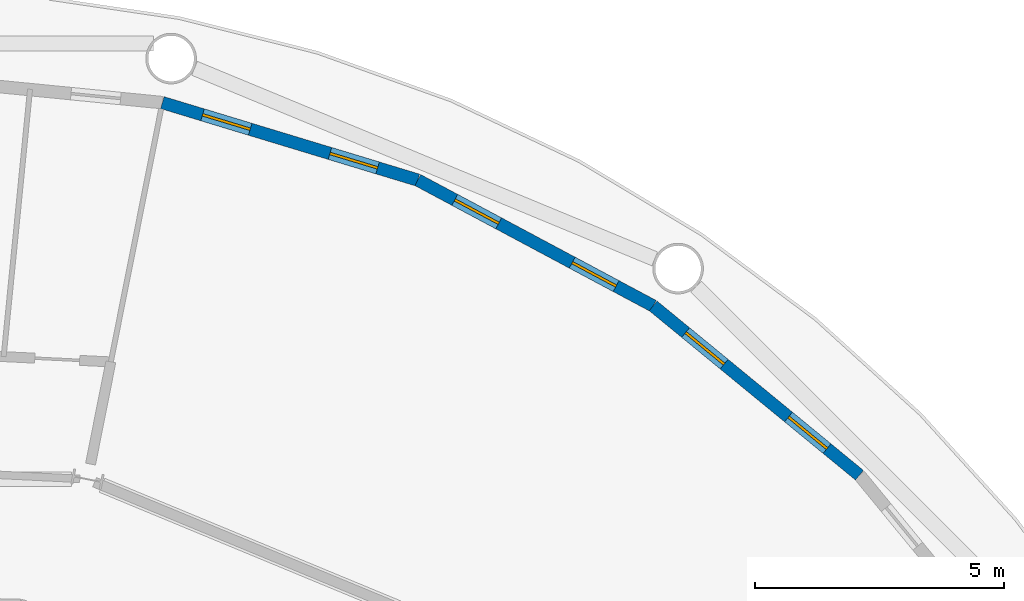
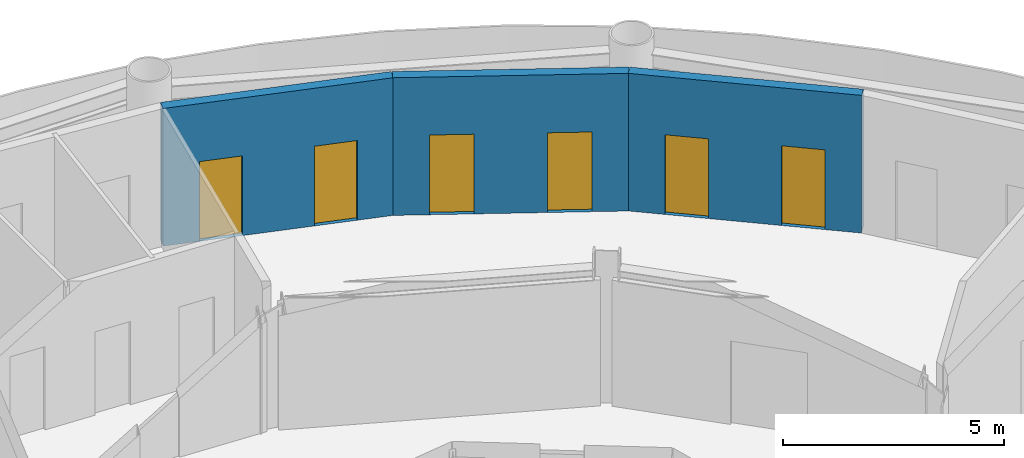
# One storey, part 16 of 19: 6 doors, 3 walls, 6 openings.
"""IFC4 building model written with IfcOpenShell, lengths in metres."""

from ifc_helpers import new_model, si_unit, direction, frame, frame_2d, origin, place, context, subcontext, project, spatial, rectangle, extrude, material, layer, layer_set, type_object, element, fill, save


model = new_model("IFC4")

# Units and contexts
model_context = context("Model", 3, precision=1e-05, world=origin(), true_north=direction((0.0, 1.0)))
body_context = subcontext(model_context, "Body", "Model", "MODEL_VIEW")
ifc_project = project(units=[si_unit("LENGTHUNIT", "METRE"), si_unit("AREAUNIT", "SQUARE_METRE"), si_unit("VOLUMEUNIT", "CUBIC_METRE"), si_unit("PLANEANGLEUNIT", "RADIAN"), si_unit("MASSUNIT", "GRAM", prefix="KILO")], contexts=[model_context])

# Site, building, storey
site_placement = place(None, origin())
site = spatial("IfcSite", under=ifc_project, at=site_placement, CompositionType="ELEMENT")
building_placement = place(site_placement, origin())
building = spatial("IfcBuilding", under=site, at=building_placement, Name="Maasbend Ring Residences", CompositionType="ELEMENT")
storey_placement = place(building_placement, frame((0.0, 0.0, 53.300048828125)))
storey = spatial("IfcBuildingStorey", under=building, at=storey_placement, Name="L15", CompositionType="ELEMENT", Elevation=53.300048828125)

# Wall, openings, doors
ifc_material_1 = material(Name="Aluminium clad insulated panel", Category="aluminium")
ifc_layer = layer(ifc_material_1, 0.25)
ifc_layer_set = layer_set([ifc_layer], Name="EW-GL")
wall_type = type_object("IfcWallType", Name="EW-GL", PredefinedType="SOLIDWALL", material=ifc_layer_set)
wall_1_placement = place(storey_placement, frame((19.303955078125, 19.303955078125, 0.0), z_axis=(0.0, 0.0, 1.0), x_axis=(-0.773019449054, 0.634382322723, 0.0)))
wall_1 = element("IfcWall", 1, at=wall_1_placement, inside=storey, type_object=wall_type, Name="External wall N02", PredefinedType="SOLIDWALL", context=body_context, shape_type="SweptSolid", body=[
    extrude(rectangle(XDim=5.351806640625, YDim=0.25, at=frame_2d((2.67578125, 0.0))), origin(), (0.0, 0.0, 1.0), 3.800048828125),
])
opening_1_placement = place(wall_1_placement, frame((0.841064453125, 0.0, 0.0)))
opening_1 = element("IfcOpeningElement", 2, at=opening_1_placement, cuts=wall_1, Name="Opening D-LG", PredefinedType="OPENING", context=body_context, shape_type="SweptSolid", body=[
    extrude(rectangle(XDim=1.0, YDim=2.199951171875, at=frame_2d((0.5, 1.10009765625))), frame((0.0, 0.135009765625, 0.0), z_axis=(0.0, -1.0, 0.0), x_axis=(1.0, 0.0, 0.0)), (0.0, 0.0, 1.0), 0.27001953125),
])
opening_2_placement = place(wall_1_placement, frame((3.510498046875, 0.0, 0.0)))
opening_2 = element("IfcOpeningElement", 3, at=opening_2_placement, cuts=wall_1, Name="Opening D-LG", PredefinedType="OPENING", context=body_context, shape_type="SweptSolid", body=[
    extrude(rectangle(XDim=1.0, YDim=2.199951171875, at=frame_2d((0.5, 1.10009765625))), frame((0.0, 0.135009765625, 0.0), z_axis=(0.0, -1.0, 0.0), x_axis=(1.0, 0.0, 0.0)), (0.0, 0.0, 1.0), 0.27001953125),
])
ifc_material_2 = material(Name="Aluminium and clear glass", Category="aluminium")
door_type = type_object("IfcDoorType", Name="D-LG", OperationType="SINGLE_SWING_LEFT", PredefinedType="DOOR", material=ifc_material_2)
door_1_placement = place(opening_1_placement, origin())
door_1 = element("IfcDoor", 4, at=door_1_placement, inside=storey, type_object=door_type, Name="Loggia door N03", OperationType="SINGLE_SWING_LEFT", OverallHeight=2.199951171875, OverallWidth=1.0, PredefinedType="DOOR", context=body_context, shape_type="SweptSolid", body=[
    extrude(rectangle(XDim=1.0, YDim=2.199951171875, at=frame_2d((0.5, 1.10009765625))), frame((0.0, 0.02490234375, 0.0), z_axis=(0.0, -1.0, 0.0), x_axis=(1.0, 0.0, 0.0)), (0.0, 0.0, 1.0), 0.050048828125),
])
fill(opening_1, door_1)
door_2_placement = place(opening_2_placement, origin())
door_2 = element("IfcDoor", 5, at=door_2_placement, inside=storey, type_object=door_type, Name="Loggia door N04", OperationType="SINGLE_SWING_LEFT", OverallHeight=2.199951171875, OverallWidth=1.0, PredefinedType="DOOR", context=body_context, shape_type="SweptSolid", body=[
    extrude(rectangle(XDim=1.0, YDim=2.199951171875, at=frame_2d((0.5, 1.10009765625))), frame((0.0, 0.02490234375, 0.0), z_axis=(0.0, -1.0, 0.0), x_axis=(1.0, 0.0, 0.0)), (0.0, 0.0, 1.0), 0.050048828125),
])
fill(opening_2, door_2)

wall_2_placement = place(storey_placement, frame((15.1669921875, 22.698974609375, 0.0), z_axis=(0.0, 0.0, 1.0), x_axis=(-0.881915646801, 0.471407246368, 0.0)))
wall_2 = element("IfcWall", 6, at=wall_2_placement, inside=storey, type_object=wall_type, Name="External wall N03", PredefinedType="SOLIDWALL", context=body_context, shape_type="SweptSolid", body=[
    extrude(rectangle(XDim=5.35205078125, YDim=0.25, at=frame_2d((2.676025390625, 0.0))), origin(), (0.0, 0.0, 1.0), 3.800048828125),
])
opening_3_placement = place(wall_2_placement, frame((0.841064453125, 0.0, 0.0)))
opening_3 = element("IfcOpeningElement", 7, at=opening_3_placement, cuts=wall_2, Name="Opening D-LG", PredefinedType="OPENING", context=body_context, shape_type="SweptSolid", body=[
    extrude(rectangle(XDim=1.0, YDim=2.199951171875, at=frame_2d((0.5, 1.10009765625))), frame((0.0, 0.135009765625, 0.0), z_axis=(0.0, -1.0, 0.0), x_axis=(1.0, 0.0, 0.0)), (0.0, 0.0, 1.0), 0.27001953125),
])
opening_4_placement = place(wall_2_placement, frame((3.510498046875, 0.0, 0.0)))
opening_4 = element("IfcOpeningElement", 8, at=opening_4_placement, cuts=wall_2, Name="Opening D-LG", PredefinedType="OPENING", context=body_context, shape_type="SweptSolid", body=[
    extrude(rectangle(XDim=1.0, YDim=2.199951171875, at=frame_2d((0.5, 1.10009765625))), frame((0.0, 0.135009765625, 0.0), z_axis=(0.0, -1.0, 0.0), x_axis=(1.0, 0.0, 0.0)), (0.0, 0.0, 1.0), 0.27001953125),
])
door_3_placement = place(opening_3_placement, origin())
door_3 = element("IfcDoor", 9, at=door_3_placement, inside=storey, type_object=door_type, Name="Loggia door N05", OperationType="SINGLE_SWING_LEFT", OverallHeight=2.199951171875, OverallWidth=1.0, PredefinedType="DOOR", context=body_context, shape_type="SweptSolid", body=[
    extrude(rectangle(XDim=1.0, YDim=2.199951171875, at=frame_2d((0.5, 1.10009765625))), frame((0.0, 0.02490234375, 0.0), z_axis=(0.0, -1.0, 0.0), x_axis=(1.0, 0.0, 0.0)), (0.0, 0.0, 1.0), 0.050048828125),
])
fill(opening_3, door_3)
door_4_placement = place(opening_4_placement, origin())
door_4 = element("IfcDoor", 10, at=door_4_placement, inside=storey, type_object=door_type, Name="Loggia door N06", OperationType="SINGLE_SWING_LEFT", OverallHeight=2.199951171875, OverallWidth=1.0, PredefinedType="DOOR", context=body_context, shape_type="SweptSolid", body=[
    extrude(rectangle(XDim=1.0, YDim=2.199951171875, at=frame_2d((0.5, 1.10009765625))), frame((0.0, 0.02490234375, 0.0), z_axis=(0.0, -1.0, 0.0), x_axis=(1.0, 0.0, 0.0)), (0.0, 0.0, 1.0), 0.050048828125),
])
fill(opening_4, door_4)

wall_3_placement = place(storey_placement, frame((10.447021484375, 25.221923828125, 0.0), z_axis=(0.0, 0.0, 1.0), x_axis=(-0.956965678721, 0.290201119486, 0.0)))
wall_3 = element("IfcWall", 11, at=wall_3_placement, inside=storey, type_object=wall_type, Name="External wall N04", PredefinedType="SOLIDWALL", context=body_context, shape_type="SweptSolid", body=[
    extrude(rectangle(XDim=5.351318359375, YDim=0.25, at=frame_2d((2.67578125, 0.0))), origin(), (0.0, 0.0, 1.0), 3.800048828125),
])
opening_5_placement = place(wall_3_placement, frame((0.841064453125, 0.0, 0.0)))
opening_5 = element("IfcOpeningElement", 12, at=opening_5_placement, cuts=wall_3, Name="Opening D-LG", PredefinedType="OPENING", context=body_context, shape_type="SweptSolid", body=[
    extrude(rectangle(XDim=1.0, YDim=2.199951171875, at=frame_2d((0.5, 1.10009765625))), frame((0.0, 0.135009765625, 0.0), z_axis=(0.0, -1.0, 0.0), x_axis=(1.0, 0.0, 0.0)), (0.0, 0.0, 1.0), 0.27001953125),
])
opening_6_placement = place(wall_3_placement, frame((3.510498046875, 0.0, 0.0)))
opening_6 = element("IfcOpeningElement", 13, at=opening_6_placement, cuts=wall_3, Name="Opening D-LG", PredefinedType="OPENING", context=body_context, shape_type="SweptSolid", body=[
    extrude(rectangle(XDim=1.0, YDim=2.199951171875, at=frame_2d((0.5, 1.10009765625))), frame((0.0, 0.135009765625, 0.0), z_axis=(0.0, -1.0, 0.0), x_axis=(1.0, 0.0, 0.0)), (0.0, 0.0, 1.0), 0.27001953125),
])
door_5_placement = place(opening_5_placement, origin())
door_5 = element("IfcDoor", 14, at=door_5_placement, inside=storey, type_object=door_type, Name="Loggia door N07", OperationType="SINGLE_SWING_LEFT", OverallHeight=2.199951171875, OverallWidth=1.0, PredefinedType="DOOR", context=body_context, shape_type="SweptSolid", body=[
    extrude(rectangle(XDim=1.0, YDim=2.199951171875, at=frame_2d((0.5, 1.10009765625))), frame((0.0, 0.02490234375, 0.0), z_axis=(0.0, -1.0, 0.0), x_axis=(1.0, 0.0, 0.0)), (0.0, 0.0, 1.0), 0.050048828125),
])
fill(opening_5, door_5)
door_6_placement = place(opening_6_placement, origin())
door_6 = element("IfcDoor", 15, at=door_6_placement, inside=storey, type_object=door_type, Name="Loggia door N08", OperationType="SINGLE_SWING_LEFT", OverallHeight=2.199951171875, OverallWidth=1.0, PredefinedType="DOOR", context=body_context, shape_type="SweptSolid", body=[
    extrude(rectangle(XDim=1.0, YDim=2.199951171875, at=frame_2d((0.5, 1.10009765625))), frame((0.0, 0.02490234375, 0.0), z_axis=(0.0, -1.0, 0.0), x_axis=(1.0, 0.0, 0.0)), (0.0, 0.0, 1.0), 0.050048828125),
])
fill(opening_6, door_6)

save(model, "model.ifc")
